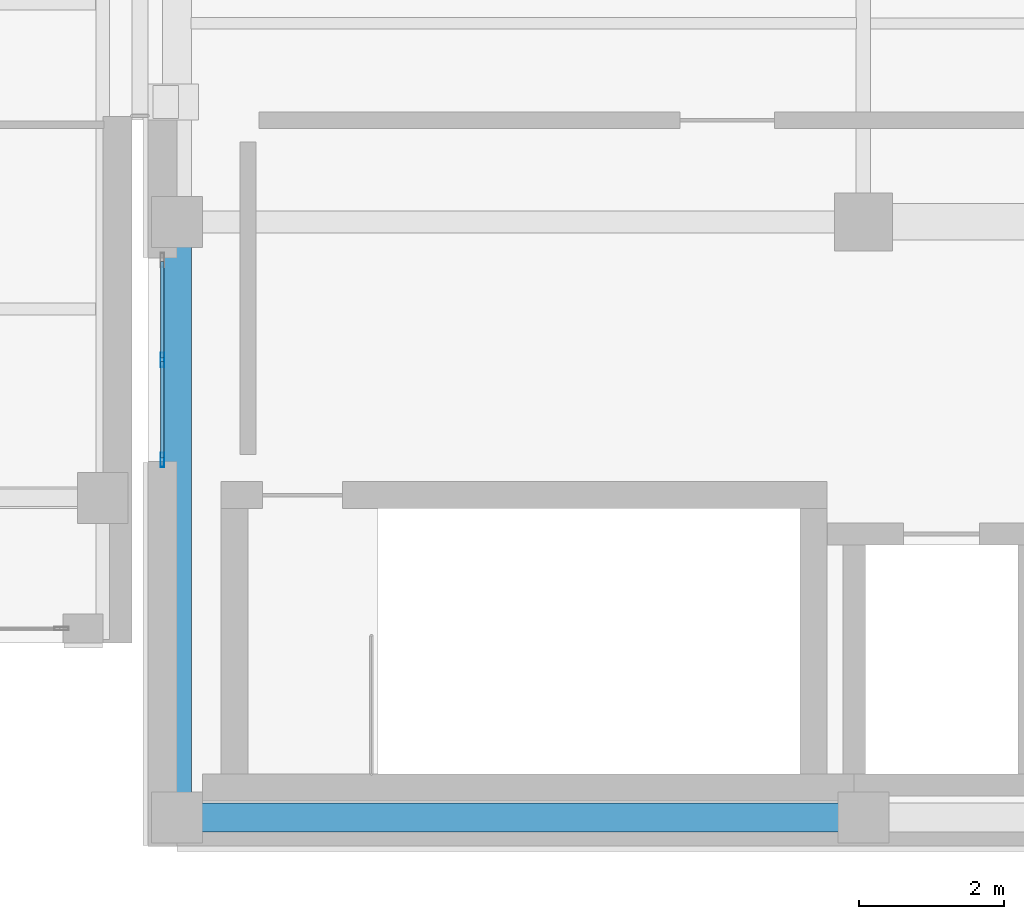
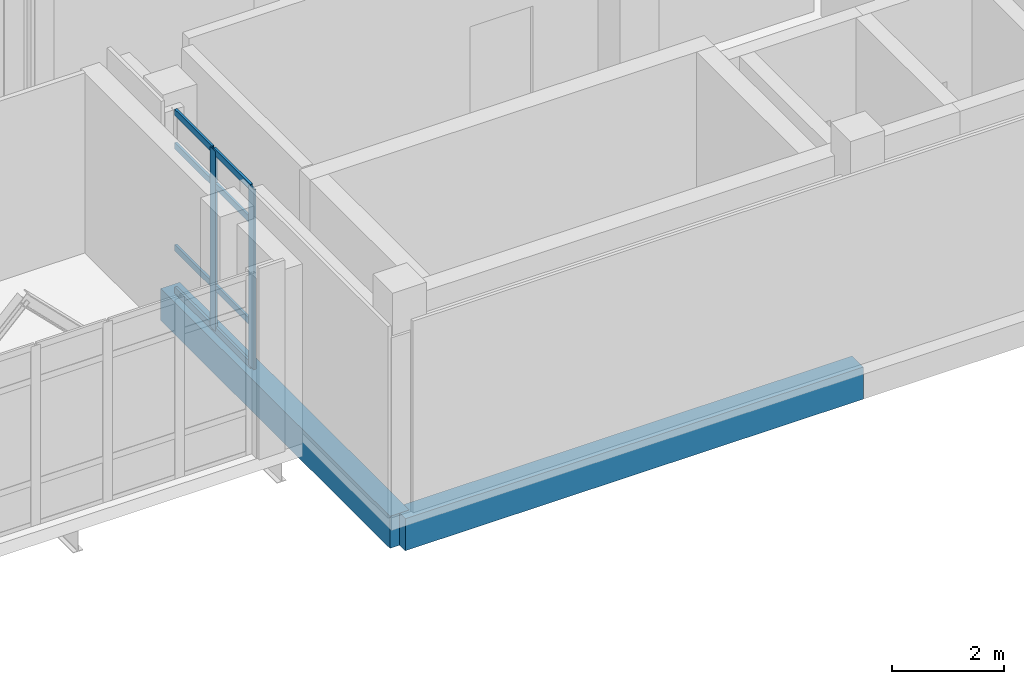
# One storey, part 16 of 158: 10 members, 2 beams, 1 element without a shape of its own.
"""IFC4 building model written with IfcOpenShell, lengths in metres."""

from ifc_helpers import new_model, si_unit, direction, frame, origin, origin_2d, place, context, subcontext, project, spatial, rectangle, hollow_rectangle, extrude, material, layer, layer_set, material_profile, profile_set, type_object, element, aggregate, save


model = new_model("IFC4")

# Units and contexts
model_context = context("Model", 3, precision=1e-05, world=origin(), true_north=direction((0.0, 1.0)))
body_context = subcontext(model_context, "Body", "Model", "MODEL_VIEW")
ifc_project = project(units=[si_unit("LENGTHUNIT", "METRE"), si_unit("AREAUNIT", "SQUARE_METRE"), si_unit("VOLUMEUNIT", "CUBIC_METRE"), si_unit("PLANEANGLEUNIT", "RADIAN"), si_unit("MASSUNIT", "GRAM", prefix="KILO")], contexts=[model_context])

# Site, building, storey
site_placement = place(None, origin())
site = spatial("IfcSite", under=ifc_project, at=site_placement, CompositionType="ELEMENT")
building_placement = place(site_placement, origin())
building = spatial("IfcBuilding", under=site, at=building_placement, Name="Qalavern Law Courts", CompositionType="ELEMENT")
storey_placement = place(building_placement, frame((0.0, 0.0, 18.60009765625)))
storey = spatial("IfcBuildingStorey", under=building, at=storey_placement, Name="L04", CompositionType="ELEMENT", Elevation=18.60009765625)

# Curtain wall, members
ifc_material_1 = material(Name="Anodised aluminium and insulated glazing", Category="aluminium")
ifc_layer = layer(ifc_material_1, 0.18505859375)
ifc_layer_set = layer_set([ifc_layer], Name="Anodised aluminium and insulated glazing")
curtain_wall_type = type_object("IfcCurtainWallType", Name="ENV-CW-HALL", PredefinedType="USERDEFINED", material=ifc_layer_set)
curtain_wall_placement = place(storey_placement, origin())
curtain_wall = element("IfcCurtainWall", 1, at=curtain_wall_placement, inside=storey, type_object=curtain_wall_type, Name="V2 unitised curtain wall L04 west 1", ObjectType="UNITISED CURTAIN WALL", PredefinedType="USERDEFINED")
ifc_material_2 = material(Name="Anodised aluminium", Category="aluminium")
ifc_material_profile_1 = material_profile(ifc_material_2, hollow_rectangle(XDim=0.048095703125, YDim=0.199951171875, WallThickness=0.00439453125, at=origin_2d()), Name="ALU MULLION 48x200")
ifc_profile_set_1 = profile_set([ifc_material_profile_1], Name="Anodised aluminium")
member_type_1 = type_object("IfcMemberType", Name="ENV-CWM-48x200", PredefinedType="MULLION", material=ifc_profile_set_1)
member_1_placement = place(storey_placement, frame((34.419921875, 11.89990234375, 0.0), z_axis=(0.0, 0.0, 1.0), x_axis=(1.0, 0.0, 0.0)))
member_1 = element("IfcMember", 2, at=member_1_placement, type_object=member_type_1, Name="CW-02 mullion 2", PredefinedType="MULLION", context=body_context, shape_type="SweptSolid", body=[
    extrude(hollow_rectangle(XDim=0.048095703125, YDim=0.199951171875, WallThickness=0.00439453125, at=origin_2d()), origin(), (0.0, 0.0, 1.0), 3.9248046875),
])
member_2_placement = place(storey_placement, frame((34.419921875, 10.52392578125, 0.0), z_axis=(0.0, 0.0, 1.0), x_axis=(1.0, 0.0, 0.0)))
member_2 = element("IfcMember", 3, at=member_2_placement, type_object=member_type_1, Name="CW-02 mullion 3", PredefinedType="MULLION", context=body_context, shape_type="SweptSolid", body=[
    extrude(hollow_rectangle(XDim=0.048095703125, YDim=0.199951171875, WallThickness=0.00439453125, at=origin_2d()), origin(), (0.0, 0.0, 1.0), 3.9248046875),
])
ifc_material_profile_2 = material_profile(ifc_material_2, hollow_rectangle(XDim=0.048095703125, YDim=0.139892578125, WallThickness=0.00390625, at=origin_2d()), Name="ALU TRANSOM 48x140")
ifc_profile_set_2 = profile_set([ifc_material_profile_2], Name="Anodised aluminium")
member_type_2 = type_object("IfcMemberType", Name="ENV-CWT-48x140", PredefinedType="USERDEFINED", material=ifc_profile_set_2)
member_3_placement = place(storey_placement, frame((34.419921875, 13.251953125, 0.02392578125), z_axis=(0.0, -1.0, 0.0), x_axis=(1.0, 0.0, 0.0)))
member_3 = element("IfcMember", 4, at=member_3_placement, type_object=member_type_2, Name="CW-02 transom 1.1", ObjectType="TRANSOM", PredefinedType="USERDEFINED", context=body_context, shape_type="SweptSolid", body=[
    extrude(hollow_rectangle(XDim=0.048095703125, YDim=0.139892578125, WallThickness=0.00390625, at=origin_2d()), origin(), (0.0, 0.0, 1.0), 1.327880859375),
])
member_4_placement = place(storey_placement, frame((34.419921875, 13.251953125, 0.949951171875), z_axis=(0.0, -1.0, 0.0), x_axis=(1.0, 0.0, 0.0)))
member_4 = element("IfcMember", 5, at=member_4_placement, type_object=member_type_2, Name="CW-02 transom 1.2", ObjectType="TRANSOM", PredefinedType="USERDEFINED", context=body_context, shape_type="SweptSolid", body=[
    extrude(hollow_rectangle(XDim=0.048095703125, YDim=0.139892578125, WallThickness=0.00390625, at=origin_2d()), origin(), (0.0, 0.0, 1.0), 1.327880859375),
])
member_5_placement = place(storey_placement, frame((34.419921875, 13.251953125, 3.1748046875), z_axis=(0.0, -1.0, 0.0), x_axis=(1.0, 0.0, 0.0)))
member_5 = element("IfcMember", 6, at=member_5_placement, type_object=member_type_2, Name="CW-02 transom 1.3", ObjectType="TRANSOM", PredefinedType="USERDEFINED", context=body_context, shape_type="SweptSolid", body=[
    extrude(hollow_rectangle(XDim=0.048095703125, YDim=0.139892578125, WallThickness=0.00390625, at=origin_2d()), origin(), (0.0, 0.0, 1.0), 1.327880859375),
])
member_6_placement = place(storey_placement, frame((34.419921875, 13.251953125, 3.90087890625), z_axis=(0.0, -1.0, 0.0), x_axis=(1.0, 0.0, 0.0)))
member_6 = element("IfcMember", 7, at=member_6_placement, type_object=member_type_2, Name="CW-02 transom 1.4", ObjectType="TRANSOM", PredefinedType="USERDEFINED", context=body_context, shape_type="SweptSolid", body=[
    extrude(hollow_rectangle(XDim=0.048095703125, YDim=0.139892578125, WallThickness=0.00390625, at=origin_2d()), origin(), (0.0, 0.0, 1.0), 1.327880859375),
])
member_7_placement = place(storey_placement, frame((34.419921875, 11.8759765625, 0.02392578125), z_axis=(0.0, -1.0, 0.0), x_axis=(1.0, 0.0, 0.0)))
member_7 = element("IfcMember", 8, at=member_7_placement, type_object=member_type_2, Name="CW-02 transom 2.1", ObjectType="TRANSOM", PredefinedType="USERDEFINED", context=body_context, shape_type="SweptSolid", body=[
    extrude(hollow_rectangle(XDim=0.048095703125, YDim=0.139892578125, WallThickness=0.00390625, at=origin_2d()), origin(), (0.0, 0.0, 1.0), 1.327880859375),
])
member_8_placement = place(storey_placement, frame((34.419921875, 11.8759765625, 0.949951171875), z_axis=(0.0, -1.0, 0.0), x_axis=(1.0, 0.0, 0.0)))
member_8 = element("IfcMember", 9, at=member_8_placement, type_object=member_type_2, Name="CW-02 transom 2.2", ObjectType="TRANSOM", PredefinedType="USERDEFINED", context=body_context, shape_type="SweptSolid", body=[
    extrude(hollow_rectangle(XDim=0.048095703125, YDim=0.139892578125, WallThickness=0.00390625, at=origin_2d()), origin(), (0.0, 0.0, 1.0), 1.327880859375),
])
member_9_placement = place(storey_placement, frame((34.419921875, 11.8759765625, 3.1748046875), z_axis=(0.0, -1.0, 0.0), x_axis=(1.0, 0.0, 0.0)))
member_9 = element("IfcMember", 10, at=member_9_placement, type_object=member_type_2, Name="CW-02 transom 2.3", ObjectType="TRANSOM", PredefinedType="USERDEFINED", context=body_context, shape_type="SweptSolid", body=[
    extrude(hollow_rectangle(XDim=0.048095703125, YDim=0.139892578125, WallThickness=0.00390625, at=origin_2d()), origin(), (0.0, 0.0, 1.0), 1.327880859375),
])
member_10_placement = place(storey_placement, frame((34.419921875, 11.8759765625, 3.90087890625), z_axis=(0.0, -1.0, 0.0), x_axis=(1.0, 0.0, 0.0)))
member_10 = element("IfcMember", 11, at=member_10_placement, type_object=member_type_2, Name="CW-02 transom 2.4", ObjectType="TRANSOM", PredefinedType="USERDEFINED", context=body_context, shape_type="SweptSolid", body=[
    extrude(hollow_rectangle(XDim=0.048095703125, YDim=0.139892578125, WallThickness=0.00390625, at=origin_2d()), origin(), (0.0, 0.0, 1.0), 1.327880859375),
])
aggregate(curtain_wall, [member_1, member_2, member_3, member_4, member_5, member_6, member_7, member_8, member_9, member_10])

# Beams
ifc_material_3 = material(Name="Concrete C40/50", Category="concrete")
ifc_material_profile_3 = material_profile(ifc_material_3, rectangle(XDim=0.39990234375, YDim=0.699951171875, at=origin_2d()), Name="RC 400x700")
ifc_profile_set_3 = profile_set([ifc_material_profile_3], Name="Concrete C40/50")
beam_type = type_object("IfcBeamType", Name="STR-SP-RC400x700", PredefinedType="SPANDREL", material=ifc_profile_set_3)
beam_1_placement = place(storey_placement, frame((34.6201171875, 5.60009765625, -0.630126953125), z_axis=(1.0, 0.0, 0.0), x_axis=(0.0, 1.0, 0.0)))
element("IfcBeam", 12, at=beam_1_placement, inside=storey, type_object=beam_type, Name="V2 X-beam 1-1 L04", PredefinedType="SPANDREL", context=body_context, shape_type="SweptSolid", body=[
    extrude(rectangle(XDim=0.39990234375, YDim=0.699951171875, at=origin_2d()), origin(), (0.0, 0.0, 1.0), 9.4541015625),
])
beam_2_placement = place(storey_placement, frame((34.6201171875, 5.60009765625, -0.630126953125), z_axis=(0.0, 1.0, 0.0), x_axis=(-1.0, 0.0, 0.0)))
element("IfcBeam", 13, at=beam_2_placement, inside=storey, type_object=beam_type, Name="V2 Y-beam 1-1 L04", PredefinedType="SPANDREL", context=body_context, shape_type="SweptSolid", body=[
    extrude(rectangle(XDim=0.39990234375, YDim=0.699951171875, at=origin_2d()), origin(), (0.0, 0.0, 1.0), 8.199951171875),
])

save(model, "model.ifc")
